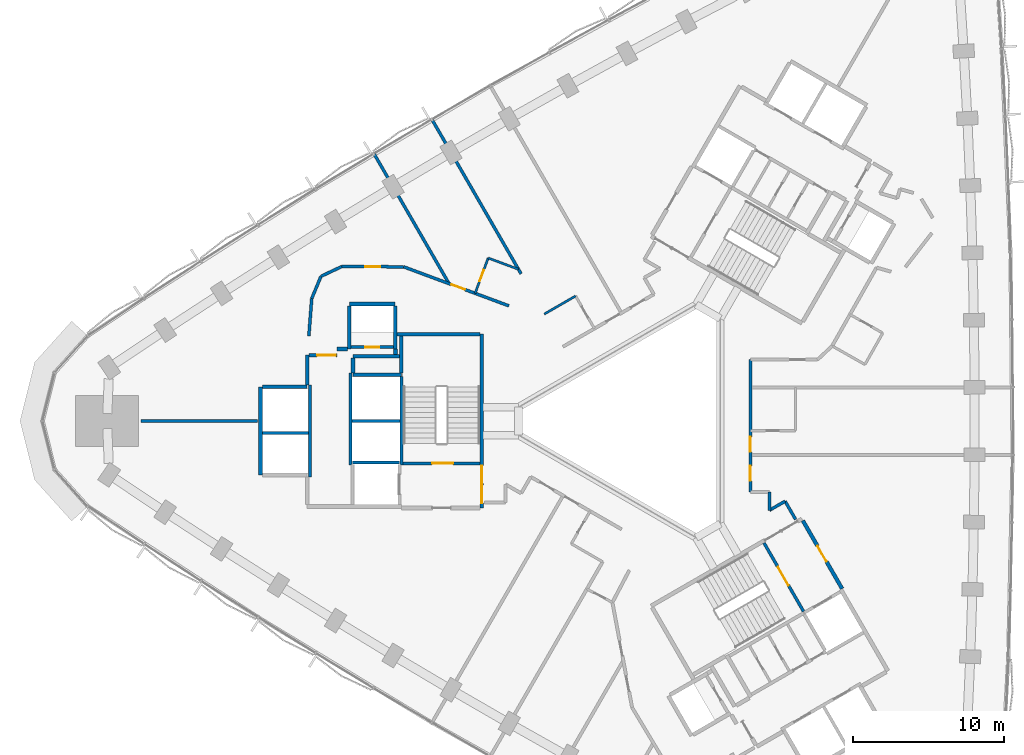
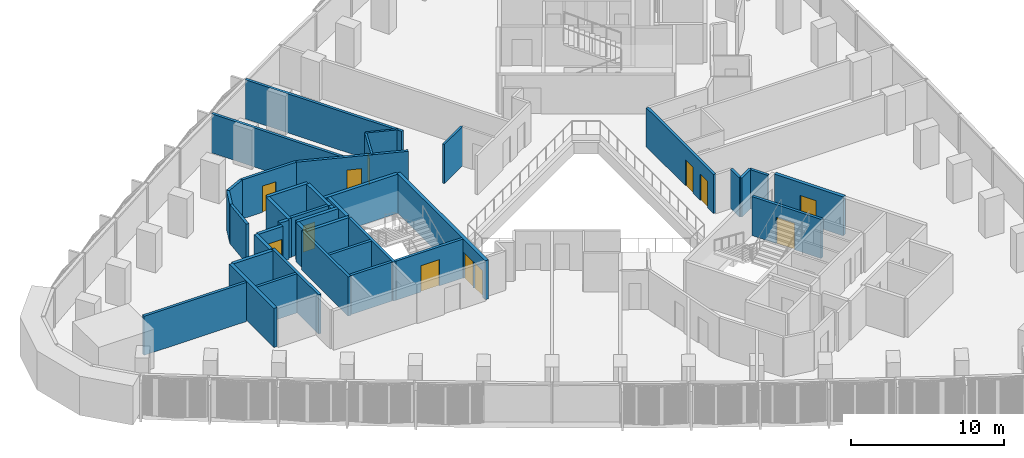
# One storey, part 10 of 15: 40 walls, 12 doors, 12 openings.
"""IFC4 building model written with IfcOpenShell, lengths in metres."""

from ifc_helpers import new_model, si_unit, direction, frame, frame_2d, origin, place, context, subcontext, project, spatial, rectangle, extrude, material, layer, layer_set, type_object, element, fill, save


model = new_model("IFC4")

# Units and contexts
model_context = context("Model", 3, precision=1e-05, world=origin(), true_north=direction((0.0, 1.0)))
body_context = subcontext(model_context, "Body", "Model", "MODEL_VIEW")
ifc_project = project(units=[si_unit("LENGTHUNIT", "METRE"), si_unit("AREAUNIT", "SQUARE_METRE"), si_unit("VOLUMEUNIT", "CUBIC_METRE"), si_unit("PLANEANGLEUNIT", "RADIAN"), si_unit("MASSUNIT", "GRAM", prefix="KILO")], contexts=[model_context])

# Site, building, storey
site_placement = place(None, origin())
site = spatial("IfcSite", under=ifc_project, at=site_placement, CompositionType="ELEMENT")
building_placement = place(site_placement, origin())
building = spatial("IfcBuilding", under=site, at=building_placement, Name="Tamra Quay Hotel Tower", CompositionType="ELEMENT")
storey_placement = place(building_placement, frame((0.0, 0.0, 53.0)))
storey = spatial("IfcBuildingStorey", under=building, at=storey_placement, Name="L11", CompositionType="ELEMENT", Elevation=53.0)

# Walls
ifc_material_1 = material(Name="Concrete M70", Category="concrete")
ifc_layer_1 = layer(ifc_material_1, 0.199951171875)
ifc_layer_set_1 = layer_set([ifc_layer_1], Name="Concrete M70 core wall 200")
wall_type_1 = type_object("IfcWallType", Name="Concrete M70 core wall 200", PredefinedType="SHEAR", material=ifc_layer_set_1)
wall_1_placement = place(storey_placement, frame((-16.162109375, 2.95068359375, 0.0), z_axis=(0.0, 0.0, 1.0), x_axis=(0.0, -1.0, 0.0)))
element("IfcWall", 1, at=wall_1_placement, inside=storey, type_object=wall_type_1, Name="CW2", PredefinedType="SHEAR", context=body_context, shape_type="SweptSolid", body=[
    extrude(rectangle(XDim=5.850830078125, YDim=0.199951171875, at=frame_2d((2.92529296875, 0.0))), origin(), (0.0, 0.0, 1.0), 3.125),
])
for number, where, z_axis, x_axis, name in (
    (2, (-19.5625, -2.900146484375, 0.0), (0.0, 0.0, 1.0), (0.0, 1.0, 0.0), "CW2"),
    (3, (-22.26220703125, 2.400146484375, 0.0), (0.0, 0.0, 1.0), (0.0, -1.0, 0.0), "CW2"),
):
    element("IfcWall", number, at=place(storey_placement, frame(where, z_axis=z_axis, x_axis=x_axis)), inside=storey, type_object=wall_type_1, Name=name, PredefinedType="SHEAR", context=body_context, shape_type="SweptSolid", body=[
        extrude(rectangle(XDim=6.100341796875, YDim=0.199951171875, at=frame_2d((3.05029296875, 0.0))), origin(), (0.0, 0.0, 1.0), 3.125),
    ])

# Wall, opening, door
wall_2_placement = place(storey_placement, frame((-10.96337890625, -2.800048828125, 0.0), z_axis=(0.0, 0.0, 1.0), x_axis=(-1.0, 0.0, 0.0)))
wall_2 = element("IfcWall", 4, at=wall_2_placement, inside=storey, type_object=wall_type_1, Name="CW2", PredefinedType="SHEAR", context=body_context, shape_type="SweptSolid", body=[
    extrude(rectangle(XDim=5.097900390625, YDim=0.199951171875, at=frame_2d((2.548828125, 0.0))), origin(), (0.0, 0.0, 1.0), 3.125),
])
opening_1_placement = place(wall_2_placement, frame((1.77392578125, 0.0, 0.0)))
opening_1 = element("IfcOpeningElement", 5, at=opening_1_placement, cuts=wall_2, Name="Opening FD2", PredefinedType="OPENING", context=body_context, shape_type="SweptSolid", body=[
    extrude(rectangle(XDim=1.39990234375, YDim=2.10009765625, at=frame_2d((0.699951171875, 1.050048828125))), frame((0.0, 0.10986328125, 0.0), z_axis=(0.0, -1.0, 0.0), x_axis=(1.0, 0.0, 0.0)), (0.0, 0.0, 1.0), 0.219970703125),
])
ifc_material_2 = material(Name="Core door FD2 1400x2100 LH")
door_type_1 = type_object("IfcDoorType", Name="Core door FD2 1400x2100 LH", OperationType="NOTDEFINED", PredefinedType="DOOR", material=ifc_material_2)
door_1_placement = place(opening_1_placement, origin())
door_1 = element("IfcDoor", 6, at=door_1_placement, inside=storey, type_object=door_type_1, Name="FD2", OperationType="SINGLE_SWING_LEFT", OverallHeight=2.10009765625, OverallWidth=1.39990234375, PredefinedType="DOOR", context=body_context, shape_type="SweptSolid", body=[
    extrude(rectangle(XDim=1.39990234375, YDim=2.10009765625, at=frame_2d((0.699951171875, 1.050048828125))), frame((0.0, 0.02490234375, 0.0), z_axis=(0.0, -1.0, 0.0), x_axis=(1.0, 0.0, 0.0)), (0.0, 0.0, 1.0), 0.050048828125),
])
fill(opening_1, door_1)

# Walls
wall_3_placement = place(storey_placement, frame((-16.26318359375, 0.0, 0.0), z_axis=(0.0, 0.0, 1.0), x_axis=(-1.0, 0.0, 0.0)))
element("IfcWall", 7, at=wall_3_placement, inside=storey, type_object=wall_type_1, Name="CW2", PredefinedType="SHEAR", context=body_context, shape_type="SweptSolid", body=[
    extrude(rectangle(XDim=3.1982421875, YDim=0.199951171875, at=frame_2d((1.59912109375, 0.0))), origin(), (0.0, 0.0, 1.0), 3.125),
])
wall_4_placement = place(storey_placement, frame((-22.36328125, -0.800048828125, 0.0), z_axis=(0.0, 0.0, 1.0), x_axis=(-1.0, 0.0, 0.0)))
element("IfcWall", 8, at=wall_4_placement, inside=storey, type_object=wall_type_1, Name="CW2", PredefinedType="SHEAR", context=body_context, shape_type="SweptSolid", body=[
    extrude(rectangle(XDim=3.048095703125, YDim=0.199951171875, at=frame_2d((1.52392578125, 0.0))), origin(), (0.0, 0.0, 1.0), 3.125),
])

# Wall, opening, door
wall_5_placement = place(storey_placement, frame((-19.51123046875, 4.91015625, 0.0), z_axis=(0.0, 0.0, 1.0), x_axis=(1.0, 0.0, 0.0)))
wall_5 = element("IfcWall", 9, at=wall_5_placement, inside=storey, type_object=wall_type_1, Name="CW2", PredefinedType="SHEAR", context=body_context, shape_type="SweptSolid", body=[
    extrude(rectangle(XDim=2.7978515625, YDim=0.199951171875, at=frame_2d((1.39892578125, 0.0))), origin(), (0.0, 0.0, 1.0), 3.125),
])
opening_2_placement = place(wall_5_placement, frame((0.948974609375, 0.0, 0.0)))
opening_2 = element("IfcOpeningElement", 10, at=opening_2_placement, cuts=wall_5, Name="Opening D1", PredefinedType="OPENING", context=body_context, shape_type="SweptSolid", body=[
    extrude(rectangle(XDim=0.89990234375, YDim=2.10009765625, at=frame_2d((0.449951171875, 1.050048828125))), frame((0.0, 0.10986328125, 0.0), z_axis=(0.0, -1.0, 0.0), x_axis=(1.0, 0.0, 0.0)), (0.0, 0.0, 1.0), 0.219970703125),
])
ifc_material_3 = material(Name="Core door D1 900x2100 RH")
door_type_2 = type_object("IfcDoorType", Name="Core door D1 900x2100 RH", OperationType="NOTDEFINED", PredefinedType="DOOR", material=ifc_material_3)
door_2_placement = place(opening_2_placement, origin())
door_2 = element("IfcDoor", 11, at=door_2_placement, inside=storey, type_object=door_type_2, Name="D1", OperationType="SINGLE_SWING_RIGHT", OverallHeight=2.10009765625, OverallWidth=0.89990234375, PredefinedType="DOOR", context=body_context, shape_type="SweptSolid", body=[
    extrude(rectangle(XDim=0.89990234375, YDim=2.10009765625, at=frame_2d((0.449951171875, 1.050048828125))), frame((0.0, 0.02490234375, 0.0), z_axis=(0.0, -1.0, 0.0), x_axis=(1.0, 0.0, 0.0)), (0.0, 0.0, 1.0), 0.050048828125),
])
fill(opening_2, door_2)

# Wall
wall_6_placement = place(storey_placement, frame((-19.412353515625, -2.75, 0.0), z_axis=(0.0, 0.0, 1.0), x_axis=(1.0, 0.0, 0.0)))
element("IfcWall", 12, at=wall_6_placement, inside=storey, type_object=wall_type_1, Name="CW2", PredefinedType="SHEAR", context=body_context, shape_type="SweptSolid", body=[
    extrude(rectangle(XDim=3.10009765625, YDim=0.199951171875, at=frame_2d((1.550048828125, 0.0))), origin(), (0.0, 0.0, 1.0), 3.125),
])

# Wall, opening, door
wall_7_placement = place(storey_placement, frame((7.906494140625, -8.094482421875, 0.0), z_axis=(0.0, 0.0, 1.0), x_axis=(0.500024287448, -0.866011380966, 0.0)))
wall_7 = element("IfcWall", 13, at=wall_7_placement, inside=storey, type_object=wall_type_1, Name="CW2", PredefinedType="SHEAR", context=body_context, shape_type="SweptSolid", body=[
    extrude(rectangle(XDim=5.251220703125, YDim=0.199951171875, at=frame_2d((2.62548828125, 0.0))), origin(), (0.0, 0.0, 1.0), 3.125),
])
opening_3_placement = place(wall_7_placement, frame((1.84912109375, 0.0, 0.0)))
opening_3 = element("IfcOpeningElement", 14, at=opening_3_placement, cuts=wall_7, Name="Opening FD2", PredefinedType="OPENING", context=body_context, shape_type="SweptSolid", body=[
    extrude(rectangle(XDim=1.39990234375, YDim=2.10009765625, at=frame_2d((0.699951171875, 1.050048828125))), frame((0.0, 0.10986328125, 0.0), z_axis=(0.0, -1.0, 0.0), x_axis=(1.0, 0.0, 0.0)), (0.0, 0.0, 1.0), 0.219970703125),
])
ifc_material_4 = material(Name="Core door FD2 1400x2100 RH")
door_type_3 = type_object("IfcDoorType", Name="Core door FD2 1400x2100 RH", OperationType="NOTDEFINED", PredefinedType="DOOR", material=ifc_material_4)
door_3_placement = place(opening_3_placement, origin())
door_3 = element("IfcDoor", 15, at=door_3_placement, inside=storey, type_object=door_type_3, Name="FD2", OperationType="SINGLE_SWING_RIGHT", OverallHeight=2.10009765625, OverallWidth=1.39990234375, PredefinedType="DOOR", context=body_context, shape_type="SweptSolid", body=[
    extrude(rectangle(XDim=1.39990234375, YDim=2.10009765625, at=frame_2d((0.699951171875, 1.050048828125))), frame((0.0, 0.02490234375, 0.0), z_axis=(0.0, -1.0, 0.0), x_axis=(1.0, 0.0, 0.0)), (0.0, 0.0, 1.0), 0.050048828125),
])
fill(opening_3, door_3)

# Wall, openings, doors
ifc_layer_2 = layer(ifc_material_1, 0.25)
ifc_layer_set_2 = layer_set([ifc_layer_2], Name="Concrete M70 core wall 250")
wall_type_2 = type_object("IfcWallType", Name="Concrete M70 core wall 250", PredefinedType="SHEAR", material=ifc_layer_set_2)
wall_8_placement = place(storey_placement, frame((-10.83740234375, 5.77490234375, 0.0), z_axis=(0.0, 0.0, 1.0), x_axis=(0.0, -1.0, 0.0)))
wall_8 = element("IfcWall", 16, at=wall_8_placement, inside=storey, type_object=wall_type_2, Name="CW1", PredefinedType="SHEAR", context=body_context, shape_type="SweptSolid", body=[
    extrude(rectangle(XDim=11.5498046875, YDim=0.25, at=frame_2d((5.77490234375, 0.0))), origin(), (0.0, 0.0, 1.0), 3.125),
])
opening_4_placement = place(wall_8_placement, frame((10.02490234375, 0.0, 0.0)))
opening_4 = element("IfcOpeningElement", 17, at=opening_4_placement, cuts=wall_8, Name="Opening FD1", PredefinedType="OPENING", context=body_context, shape_type="SweptSolid", body=[
    extrude(rectangle(XDim=1.199951171875, YDim=2.10009765625, at=frame_2d((0.60009765625, 1.050048828125))), frame((0.0, 0.135009765625, 0.0), z_axis=(0.0, -1.0, 0.0), x_axis=(1.0, 0.0, 0.0)), (0.0, 0.0, 1.0), 0.27001953125),
])
opening_5_placement = place(wall_8_placement, frame((8.72509765625, 0.0, 0.0)))
opening_5 = element("IfcOpeningElement", 18, at=opening_5_placement, cuts=wall_8, Name="Opening FD1", PredefinedType="OPENING", context=body_context, shape_type="SweptSolid", body=[
    extrude(rectangle(XDim=1.199951171875, YDim=2.10009765625, at=frame_2d((0.60009765625, 1.050048828125))), frame((0.0, 0.135009765625, 0.0), z_axis=(0.0, -1.0, 0.0), x_axis=(1.0, 0.0, 0.0)), (0.0, 0.0, 1.0), 0.27001953125),
])
ifc_material_5 = material(Name="Core door FD1 1200x2100 LH")
door_type_4 = type_object("IfcDoorType", Name="Core door FD1 1200x2100 LH", OperationType="NOTDEFINED", PredefinedType="DOOR", material=ifc_material_5)
door_4_placement = place(opening_4_placement, origin())
door_4 = element("IfcDoor", 19, at=door_4_placement, inside=storey, type_object=door_type_4, Name="FD1", OperationType="SINGLE_SWING_LEFT", OverallHeight=2.10009765625, OverallWidth=1.199951171875, PredefinedType="DOOR", context=body_context, shape_type="SweptSolid", body=[
    extrude(rectangle(XDim=1.199951171875, YDim=2.10009765625, at=frame_2d((0.60009765625, 1.050048828125))), frame((0.0, 0.02490234375, 0.0), z_axis=(0.0, -1.0, 0.0), x_axis=(1.0, 0.0, 0.0)), (0.0, 0.0, 1.0), 0.050048828125),
])
fill(opening_4, door_4)
ifc_material_6 = material(Name="Core door FD1 1200x2100 RH")
door_type_5 = type_object("IfcDoorType", Name="Core door FD1 1200x2100 RH", OperationType="NOTDEFINED", PredefinedType="DOOR", material=ifc_material_6)
door_5_placement = place(opening_5_placement, origin())
door_5 = element("IfcDoor", 20, at=door_5_placement, inside=storey, type_object=door_type_5, Name="FD1", OperationType="SINGLE_SWING_RIGHT", OverallHeight=2.10009765625, OverallWidth=1.199951171875, PredefinedType="DOOR", context=body_context, shape_type="SweptSolid", body=[
    extrude(rectangle(XDim=1.199951171875, YDim=2.10009765625, at=frame_2d((0.60009765625, 1.050048828125))), frame((0.0, 0.02490234375, 0.0), z_axis=(0.0, -1.0, 0.0), x_axis=(1.0, 0.0, 0.0)), (0.0, 0.0, 1.0), 0.050048828125),
])
fill(opening_5, door_5)

# Walls
wall_9_placement = place(storey_placement, frame((-25.537353515625, -3.574951171875, 0.0), z_axis=(0.0, 0.0, 1.0), x_axis=(0.0, 1.0, 0.0)))
element("IfcWall", 21, at=wall_9_placement, inside=storey, type_object=wall_type_2, Name="CW1", PredefinedType="SHEAR", context=body_context, shape_type="SweptSolid", body=[
    extrude(rectangle(XDim=5.849853515625, YDim=0.25, at=frame_2d((2.9248046875, 0.0))), origin(), (0.0, 0.0, 1.0), 3.125),
])
wall_10_placement = place(storey_placement, frame((-16.47216796875, 5.77490234375, 0.0), z_axis=(0.0, 0.0, 1.0), x_axis=(1.0, 0.0, 0.0)))
element("IfcWall", 22, at=wall_10_placement, inside=storey, type_object=wall_type_2, Name="CW1", PredefinedType="SHEAR", context=body_context, shape_type="SweptSolid", body=[
    extrude(rectangle(XDim=5.509521484375, YDim=0.25, at=frame_2d((2.7548828125, 0.0))), origin(), (0.0, 0.0, 1.0), 3.125),
])
wall_11_placement = place(storey_placement, frame((-19.38720703125, 3.074951171875, 0.0), z_axis=(0.0, 0.0, 1.0), x_axis=(1.0, 0.0, 0.0)))
element("IfcWall", 23, at=wall_11_placement, inside=storey, type_object=wall_type_2, Name="CW1", PredefinedType="SHEAR", context=body_context, shape_type="SweptSolid", body=[
    extrude(rectangle(XDim=3.199951171875, YDim=0.25, at=frame_2d((1.60009765625, 0.0))), origin(), (0.0, 0.0, 1.0), 3.125),
])
wall_12_placement = place(storey_placement, frame((-25.411865234375, 2.27490234375, 0.0), z_axis=(0.0, 0.0, 1.0), x_axis=(1.0, 0.0, 0.0)))
element("IfcWall", 24, at=wall_12_placement, inside=storey, type_object=wall_type_2, Name="CW1", PredefinedType="SHEAR", context=body_context, shape_type="SweptSolid", body=[
    extrude(rectangle(XDim=2.974609375, YDim=0.25, at=frame_2d((1.4873046875, 0.0))), origin(), (0.0, 0.0, 1.0), 3.125),
])
wall_13_placement = place(storey_placement, frame((-19.63720703125, 7.77490234375, 0.0), z_axis=(0.0, 0.0, 1.0), x_axis=(1.0, 0.0, 0.0)))
element("IfcWall", 25, at=wall_13_placement, inside=storey, type_object=wall_type_2, Name="CW1", PredefinedType="SHEAR", context=body_context, shape_type="SweptSolid", body=[
    extrude(rectangle(XDim=3.0498046875, YDim=0.25, at=frame_2d((1.52490234375, 0.0))), origin(), (0.0, 0.0, 1.0), 3.125),
])
for number, where, z_axis, x_axis, name in (
    (26, (-16.58740234375, 7.649658203125, 0.0), (0.0, 0.0, 1.0), (0.0, -1.0, 0.0), "CW1"),
    (27, (-19.63720703125, 4.784912109375, 0.0), (0.0, 0.0, 1.0), (0.0, 1.0, 0.0), "CW1"),
):
    element("IfcWall", number, at=place(storey_placement, frame(where, z_axis=z_axis, x_axis=x_axis)), inside=storey, type_object=wall_type_2, Name=name, PredefinedType="SHEAR", context=body_context, shape_type="SweptSolid", body=[
        extrude(rectangle(XDim=2.86474609375, YDim=0.25, at=frame_2d((1.432373046875, 0.0))), origin(), (0.0, 0.0, 1.0), 3.125),
    ])
wall_14_placement = place(storey_placement, frame((-16.30224609375, 4.31494140625, 0.0), z_axis=(0.0, 0.0, 1.0), x_axis=(-1.0, 0.0, 0.0)))
element("IfcWall", 28, at=wall_14_placement, inside=storey, type_object=wall_type_2, Name="CW1", PredefinedType="SHEAR", context=body_context, shape_type="SweptSolid", body=[
    extrude(rectangle(XDim=3.0849609375, YDim=0.25, at=frame_2d((1.54248046875, 0.0))), origin(), (0.0, 0.0, 1.0), 3.125),
])
wall_15_placement = place(storey_placement, frame((-16.187255859375, 3.200439453125, 0.0), z_axis=(0.0, 0.0, 1.0), x_axis=(0.0, 1.0, 0.0)))
element("IfcWall", 29, at=wall_15_placement, inside=storey, type_object=wall_type_2, Name="CW1", PredefinedType="SHEAR", context=body_context, shape_type="SweptSolid", body=[
    extrude(rectangle(XDim=2.44921875, YDim=0.25, at=frame_2d((1.224609375, 0.0))), origin(), (0.0, 0.0, 1.0), 3.125),
])
wall_16_placement = place(storey_placement, frame((-22.437255859375, 2.400390625, 0.0), z_axis=(0.0, 0.0, 1.0), x_axis=(0.0, 1.0, 0.0)))
element("IfcWall", 30, at=wall_16_placement, inside=storey, type_object=wall_type_2, Name="CW1", PredefinedType="SHEAR", context=body_context, shape_type="SweptSolid", body=[
    extrude(rectangle(XDim=1.974609375, YDim=0.25, at=frame_2d((0.9873046875, 0.0))), origin(), (0.0, 0.0, 1.0), 3.125),
])

# Wall, opening, door
wall_17_placement = place(storey_placement, frame((-22.311767578125, 4.375, 0.0), z_axis=(0.0, 0.0, 1.0), x_axis=(1.0, 0.0, 0.0)))
wall_17 = element("IfcWall", 31, at=wall_17_placement, inside=storey, type_object=wall_type_2, Name="CW1", PredefinedType="SHEAR", context=body_context, shape_type="SweptSolid", body=[
    extrude(rectangle(XDim=1.864501953125, YDim=0.25, at=frame_2d((0.93212890625, 0.0))), origin(), (0.0, 0.0, 1.0), 3.125),
])
opening_6_placement = place(wall_17_placement, frame((0.53466796875, 0.0, 0.0)))
opening_6 = element("IfcOpeningElement", 32, at=opening_6_placement, cuts=wall_17, Name="Opening FD3", PredefinedType="OPENING", context=body_context, shape_type="SweptSolid", body=[
    extrude(rectangle(XDim=1.25, YDim=2.10009765625, at=frame_2d((0.625, 1.050048828125))), frame((0.0, 0.135009765625, 0.0), z_axis=(0.0, -1.0, 0.0), x_axis=(1.0, 0.0, 0.0)), (0.0, 0.0, 1.0), 0.27001953125),
])
ifc_material_7 = material(Name="Core door FD3 1250x2100 LH")
door_type_6 = type_object("IfcDoorType", Name="Core door FD3 1250x2100 LH", OperationType="NOTDEFINED", PredefinedType="DOOR", material=ifc_material_7)
door_6_placement = place(opening_6_placement, origin())
door_6 = element("IfcDoor", 33, at=door_6_placement, inside=storey, type_object=door_type_6, Name="FD3", OperationType="SINGLE_SWING_LEFT", OverallHeight=2.10009765625, OverallWidth=1.25, PredefinedType="DOOR", context=body_context, shape_type="SweptSolid", body=[
    extrude(rectangle(XDim=1.25, YDim=2.10009765625, at=frame_2d((0.625, 1.050048828125))), frame((0.0, 0.02490234375, 0.0), z_axis=(0.0, -1.0, 0.0), x_axis=(1.0, 0.0, 0.0)), (0.0, 0.0, 1.0), 0.050048828125),
])
fill(opening_6, door_6)

# Walls
wall_18_placement = place(storey_placement, frame((-19.38720703125, 4.189697265625, 0.0), z_axis=(0.0, 0.0, 1.0), x_axis=(0.0, -1.0, 0.0)))
element("IfcWall", 34, at=wall_18_placement, inside=storey, type_object=wall_type_2, Name="CW1", PredefinedType="SHEAR", context=body_context, shape_type="SweptSolid", body=[
    extrude(rectangle(XDim=0.9892578125, YDim=0.25, at=frame_2d((0.49462890625, 0.0))), origin(), (0.0, 0.0, 1.0), 3.125),
])
wall_19_placement = place(storey_placement, frame((-20.447265625, 4.784912109375, 0.0), z_axis=(0.0, 0.0, 1.0), x_axis=(1.0, 0.0, 0.0)))
element("IfcWall", 35, at=wall_19_placement, inside=storey, type_object=wall_type_2, Name="CW1", PredefinedType="SHEAR", context=body_context, shape_type="SweptSolid", body=[
    extrude(rectangle(XDim=0.6845703125, YDim=0.25, at=frame_2d((0.34228515625, 0.0))), origin(), (0.0, 0.0, 1.0), 3.125),
])
wall_20_placement = place(storey_placement, frame((-16.577392578125, 4.784912109375, 0.0), z_axis=(0.0, 0.0, 1.0), x_axis=(0.0, -1.0, 0.0)))
element("IfcWall", 36, at=wall_20_placement, inside=storey, type_object=wall_type_2, Name="CW1", PredefinedType="SHEAR", context=body_context, shape_type="SweptSolid", body=[
    extrude(rectangle(XDim=0.344482421875, YDim=0.25, at=frame_2d((0.17236328125, 0.0))), origin(), (0.0, 0.0, 1.0), 3.125),
])

# Wall, opening, door
wall_21_placement = place(storey_placement, frame((10.482666015625, -6.6064453125, 0.0), z_axis=(0.0, 0.0, 1.0), x_axis=(0.49999885962, -0.866026062182, 0.0)))
wall_21 = element("IfcWall", 37, at=wall_21_placement, inside=storey, type_object=wall_type_2, Name="CW1", PredefinedType="SHEAR", context=body_context, shape_type="SweptSolid", body=[
    extrude(rectangle(XDim=5.224609375, YDim=0.25, at=frame_2d((2.6123046875, 0.0))), origin(), (0.0, 0.0, 1.0), 3.125),
])
opening_7_placement = place(wall_21_placement, frame((1.94970703125, 0.0, 0.0)))
opening_7 = element("IfcOpeningElement", 38, at=opening_7_placement, cuts=wall_21, Name="Opening D2", PredefinedType="OPENING", context=body_context, shape_type="SweptSolid", body=[
    extrude(rectangle(XDim=1.199951171875, YDim=2.10009765625, at=frame_2d((0.60009765625, 1.050048828125))), frame((0.0, 0.135009765625, 0.0), z_axis=(0.0, -1.0, 0.0), x_axis=(1.0, 0.0, 0.0)), (0.0, 0.0, 1.0), 0.27001953125),
])
ifc_material_8 = material(Name="Core door D2 1200x2100 LH")
door_type_7 = type_object("IfcDoorType", Name="Core door D2 1200x2100 LH", OperationType="NOTDEFINED", PredefinedType="DOOR", material=ifc_material_8)
door_7_placement = place(opening_7_placement, origin())
door_7 = element("IfcDoor", 39, at=door_7_placement, inside=storey, type_object=door_type_7, Name="D2", OperationType="SINGLE_SWING_LEFT", OverallHeight=2.10009765625, OverallWidth=1.199951171875, PredefinedType="DOOR", context=body_context, shape_type="SweptSolid", body=[
    extrude(rectangle(XDim=1.199951171875, YDim=2.10009765625, at=frame_2d((0.60009765625, 1.050048828125))), frame((0.0, 0.02490234375, 0.0), z_axis=(0.0, -1.0, 0.0), x_axis=(1.0, 0.0, 0.0)), (0.0, 0.0, 1.0), 0.050048828125),
])
fill(opening_7, door_7)

# Walls
ifc_material_9 = material(Name="Partition corridor wall")
ifc_layer_3 = layer(ifc_material_9, 0.199951171875)
ifc_layer_set_3 = layer_set([ifc_layer_3], Name="Partition corridor wall")
wall_type_3 = type_object("IfcWallType", Name="Partition corridor wall", PredefinedType="PARTITIONING", material=ifc_layer_set_3)
wall_22_placement = place(storey_placement, frame((-22.135009765625, 8.1298828125, 0.0), z_axis=(0.0, 0.0, 1.0), x_axis=(-0.076073461031, -0.997102215686, 0.0)))
element("IfcWall", 40, at=wall_22_placement, inside=storey, type_object=wall_type_3, Name="W-C", PredefinedType="PARTITIONING", context=body_context, shape_type="SweptSolid", body=[
    extrude(rectangle(XDim=2.4873046875, YDim=0.199951171875, at=frame_2d((1.24365234375, 0.0))), origin(), (0.0, 0.0, 1.0), 3.125),
])
wall_23_placement = place(storey_placement, frame((-22.135009765625, 8.134033203125, 0.0), z_axis=(0.0, 0.0, 1.0), x_axis=(0.383208453534, 0.923661886807, 0.0)))
element("IfcWall", 41, at=wall_23_placement, inside=storey, type_object=wall_type_3, Name="W-C", PredefinedType="PARTITIONING", context=body_context, shape_type="SweptSolid", body=[
    extrude(rectangle(XDim=1.602294921875, YDim=0.199951171875, at=frame_2d((0.80126953125, 0.0))), origin(), (0.0, 0.0, 1.0), 3.125),
])
wall_24_placement = place(storey_placement, frame((-21.52099609375, 9.614013671875, 0.0), z_axis=(0.0, 0.0, 1.0), x_axis=(0.904083527367, 0.427355795028, 0.0)))
element("IfcWall", 42, at=wall_24_placement, inside=storey, type_object=wall_type_3, Name="W-C", PredefinedType="PARTITIONING", context=body_context, shape_type="SweptSolid", body=[
    extrude(rectangle(XDim=1.52294921875, YDim=0.199951171875, at=frame_2d((0.761474609375, 0.0))), origin(), (0.0, 0.0, 1.0), 3.125),
])

# Wall, opening, door
wall_25_placement = place(storey_placement, frame((-20.14306640625, 10.26611328125, 0.0), z_axis=(0.0, 0.0, 1.0), x_axis=(0.999989297417, -0.004626559416, 0.0)))
wall_25 = element("IfcWall", 43, at=wall_25_placement, inside=storey, type_object=wall_type_3, Name="W-C", PredefinedType="PARTITIONING", context=body_context, shape_type="SweptSolid", body=[
    extrude(rectangle(XDim=4.115966796875, YDim=0.199951171875, at=frame_2d((2.05810546875, 0.0))), origin(), (0.0, 0.0, 1.0), 3.125),
])
opening_8_placement = place(wall_25_placement, frame((1.55810546875, 0.0, 0.0)))
opening_8 = element("IfcOpeningElement", 44, at=opening_8_placement, cuts=wall_25, Name="Opening L11-D011", PredefinedType="OPENING", context=body_context, shape_type="SweptSolid", body=[
    extrude(rectangle(XDim=1.0, YDim=2.10009765625, at=frame_2d((0.5, 1.050048828125))), frame((0.0, 0.10986328125, 0.0), z_axis=(0.0, -1.0, 0.0), x_axis=(1.0, 0.0, 0.0)), (0.0, 0.0, 1.0), 0.219970703125),
])
ifc_material_10 = material(Name="Door guest room 1000x2100")
door_type_8 = type_object("IfcDoorType", Name="Door guest room 1000x2100", OperationType="NOTDEFINED", PredefinedType="DOOR", material=ifc_material_10)
door_8_placement = place(opening_8_placement, frame((1.0, 0.0, 0.0), z_axis=(0.0, 0.0, 1.0), x_axis=(-1.0, 0.0, 0.0)))
door_8 = element("IfcDoor", 45, at=door_8_placement, inside=storey, type_object=door_type_8, Name="L11-D011", OperationType="SINGLE_SWING_LEFT", OverallHeight=2.10009765625, OverallWidth=1.0, PredefinedType="DOOR", context=body_context, shape_type="SweptSolid", body=[
    extrude(rectangle(XDim=1.0, YDim=2.10009765625, at=frame_2d((0.5, 1.050048828125))), frame((0.0, 0.02490234375, 0.0), z_axis=(0.0, -1.0, 0.0), x_axis=(1.0, 0.0, 0.0)), (0.0, 0.0, 1.0), 0.050048828125),
])
fill(opening_8, door_8)

wall_26_placement = place(storey_placement, frame((-16.02587890625, 10.24609375, 0.0), z_axis=(0.0, 0.0, 1.0), x_axis=(0.937598236139, -0.347720502112, 0.0)))
wall_26 = element("IfcWall", 46, at=wall_26_placement, inside=storey, type_object=wall_type_3, Name="W-C", PredefinedType="PARTITIONING", context=body_context, shape_type="SweptSolid", body=[
    extrude(rectangle(XDim=7.45849609375, YDim=0.199951171875, at=frame_2d((3.729248046875, 0.0))), origin(), (0.0, 0.0, 1.0), 3.125),
])
opening_9_placement = place(wall_26_placement, frame((3.3955078125, 0.0, 0.0)))
opening_9 = element("IfcOpeningElement", 47, at=opening_9_placement, cuts=wall_26, Name="Opening L11-D009", PredefinedType="OPENING", context=body_context, shape_type="SweptSolid", body=[
    extrude(rectangle(XDim=0.949951171875, YDim=2.10009765625, at=frame_2d((0.47509765625, 1.050048828125))), frame((0.0, 0.10986328125, 0.0), z_axis=(0.0, -1.0, 0.0), x_axis=(1.0, 0.0, 0.0)), (0.0, 0.0, 1.0), 0.219970703125),
])
ifc_material_11 = material(Name="Door guest room 950x2100")
door_type_9 = type_object("IfcDoorType", Name="Door guest room 950x2100", OperationType="NOTDEFINED", PredefinedType="DOOR", material=ifc_material_11)
door_9_placement = place(opening_9_placement, origin())
door_9 = element("IfcDoor", 48, at=door_9_placement, inside=storey, type_object=door_type_9, Name="L11-D009", OperationType="SINGLE_SWING_LEFT", OverallHeight=2.10009765625, OverallWidth=0.949951171875, PredefinedType="DOOR", context=body_context, shape_type="SweptSolid", body=[
    extrude(rectangle(XDim=0.949951171875, YDim=2.10009765625, at=frame_2d((0.47509765625, 1.050048828125))), frame((0.0, 0.02490234375, 0.0), z_axis=(0.0, -1.0, 0.0), x_axis=(1.0, 0.0, 0.0)), (0.0, 0.0, 1.0), 0.050048828125),
])
fill(opening_9, door_9)

# Wall, openings, doors
wall_27_placement = place(storey_placement, frame((7.0, -4.720947265625, 0.0), z_axis=(0.0, 0.0, 1.0), x_axis=(0.0, 1.0, 0.0)))
wall_27 = element("IfcWall", 49, at=wall_27_placement, inside=storey, type_object=wall_type_3, Name="W-C", PredefinedType="PARTITIONING", context=body_context, shape_type="SweptSolid", body=[
    extrude(rectangle(XDim=8.798828125, YDim=0.199951171875, at=frame_2d((4.3994140625, 0.0))), origin(), (0.0, 0.0, 1.0), 3.125),
])
opening_10_placement = place(wall_27_placement, frame((0.7490234375, 0.0, 0.0)))
opening_10 = element("IfcOpeningElement", 50, at=opening_10_placement, cuts=wall_27, Name="Opening L11-D001", PredefinedType="OPENING", context=body_context, shape_type="SweptSolid", body=[
    extrude(rectangle(XDim=1.0, YDim=2.10009765625, at=frame_2d((0.5, 1.050048828125))), frame((0.0, 0.10986328125, 0.0), z_axis=(0.0, -1.0, 0.0), x_axis=(1.0, 0.0, 0.0)), (0.0, 0.0, 1.0), 0.219970703125),
])
opening_11_placement = place(wall_27_placement, frame((2.674072265625, 0.0, 0.0)))
opening_11 = element("IfcOpeningElement", 51, at=opening_11_placement, cuts=wall_27, Name="Opening L11-D002", PredefinedType="OPENING", context=body_context, shape_type="SweptSolid", body=[
    extrude(rectangle(XDim=1.0, YDim=2.10009765625, at=frame_2d((0.5, 1.050048828125))), frame((0.0, 0.10986328125, 0.0), z_axis=(0.0, -1.0, 0.0), x_axis=(1.0, 0.0, 0.0)), (0.0, 0.0, 1.0), 0.219970703125),
])
door_10_placement = place(opening_10_placement, frame((1.0, 0.0, 0.0), z_axis=(0.0, 0.0, 1.0), x_axis=(-1.0, 0.0, 0.0)))
door_10 = element("IfcDoor", 52, at=door_10_placement, inside=storey, type_object=door_type_8, Name="L11-D001", OperationType="SINGLE_SWING_LEFT", OverallHeight=2.10009765625, OverallWidth=1.0, PredefinedType="DOOR", context=body_context, shape_type="SweptSolid", body=[
    extrude(rectangle(XDim=1.0, YDim=2.10009765625, at=frame_2d((0.5, 1.050048828125))), frame((0.0, 0.02490234375, 0.0), z_axis=(0.0, -1.0, 0.0), x_axis=(1.0, 0.0, 0.0)), (0.0, 0.0, 1.0), 0.050048828125),
])
fill(opening_10, door_10)
door_11_placement = place(opening_11_placement, frame((1.0, 0.0, 0.0), z_axis=(0.0, 0.0, 1.0), x_axis=(-1.0, 0.0, 0.0)))
door_11 = element("IfcDoor", 53, at=door_11_placement, inside=storey, type_object=door_type_8, Name="L11-D002", OperationType="SINGLE_SWING_LEFT", OverallHeight=2.10009765625, OverallWidth=1.0, PredefinedType="DOOR", context=body_context, shape_type="SweptSolid", body=[
    extrude(rectangle(XDim=1.0, YDim=2.10009765625, at=frame_2d((0.5, 1.050048828125))), frame((0.0, 0.02490234375, 0.0), z_axis=(0.0, -1.0, 0.0), x_axis=(1.0, 0.0, 0.0)), (0.0, 0.0, 1.0), 0.050048828125),
])
fill(opening_11, door_11)

# Walls
wall_28_placement = place(storey_placement, frame((8.26806640625, -5.9208984375, 0.0), z_axis=(0.0, 0.0, 1.0), x_axis=(0.0, 1.0, 0.0)))
element("IfcWall", 54, at=wall_28_placement, inside=storey, type_object=wall_type_3, Name="W-C", PredefinedType="PARTITIONING", context=body_context, shape_type="SweptSolid", body=[
    extrude(rectangle(XDim=1.199951171875, YDim=0.199951171875, at=frame_2d((0.60009765625, 0.0))), origin(), (0.0, 0.0, 1.0), 3.125),
])
wall_29_placement = place(storey_placement, frame((8.26806640625, -5.9208984375, 0.0), z_axis=(0.0, 0.0, 1.0), x_axis=(0.866344856625, 0.499446282797, 0.0)))
element("IfcWall", 55, at=wall_29_placement, inside=storey, type_object=wall_type_3, Name="W-C", PredefinedType="PARTITIONING", context=body_context, shape_type="SweptSolid", body=[
    extrude(rectangle(XDim=1.198974609375, YDim=0.199951171875, at=frame_2d((0.599609375, 0.0))), origin(), (0.0, 0.0, 1.0), 3.125),
])
wall_30_placement = place(storey_placement, frame((9.306884765625, -5.322021484375, 0.0), z_axis=(0.0, 0.0, 1.0), x_axis=(0.500295157811, -0.865854927266, 0.0)))
element("IfcWall", 56, at=wall_30_placement, inside=storey, type_object=wall_type_3, Name="W-C", PredefinedType="PARTITIONING", context=body_context, shape_type="SweptSolid", body=[
    extrude(rectangle(XDim=1.389892578125, YDim=0.199951171875, at=frame_2d((0.69482421875, 0.0))), origin(), (0.0, 0.0, 1.0), 3.125),
])

# Wall, opening, door
ifc_material_12 = material(Name="Partition en-suite wall")
ifc_layer_4 = layer(ifc_material_12, 0.14990234375)
ifc_layer_set_4 = layer_set([ifc_layer_4], Name="Partition en-suite wall")
wall_type_4 = type_object("IfcWallType", Name="Partition en-suite wall", PredefinedType="PARTITIONING", material=ifc_layer_set_4)
wall_31_placement = place(storey_placement, frame((-11.282958984375, 8.487060546875, 0.0), z_axis=(0.0, 0.0, 1.0), x_axis=(0.347921729873, 0.937523583641, 0.0)))
wall_31 = element("IfcWall", 57, at=wall_31_placement, inside=storey, type_object=wall_type_4, Name="W-E", PredefinedType="PARTITIONING", context=body_context, shape_type="SweptSolid", body=[
    extrude(rectangle(XDim=2.500244140625, YDim=0.14990234375, at=frame_2d((1.25, 0.0))), origin(), (0.0, 0.0, 1.0), 3.125),
])
opening_12_placement = place(wall_31_placement, frame((0.85009765625, 0.0, 0.0)))
opening_12 = element("IfcOpeningElement", 58, at=opening_12_placement, cuts=wall_31, Name="Opening L11-D010", PredefinedType="OPENING", context=body_context, shape_type="SweptSolid", body=[
    extrude(rectangle(XDim=0.800048828125, YDim=2.10009765625, at=frame_2d((0.39990234375, 1.050048828125))), frame((0.0, 0.0849609375, 0.0), z_axis=(0.0, -1.0, 0.0), x_axis=(1.0, 0.0, 0.0)), (0.0, 0.0, 1.0), 0.169921875),
])
ifc_material_13 = material(Name="Door en-suite 800x2100")
door_type_10 = type_object("IfcDoorType", Name="Door en-suite 800x2100", OperationType="NOTDEFINED", PredefinedType="DOOR", material=ifc_material_13)
door_12_placement = place(opening_12_placement, origin())
door_12 = element("IfcDoor", 59, at=door_12_placement, inside=storey, type_object=door_type_10, Name="L11-D010", OperationType="SINGLE_SWING_LEFT", OverallHeight=2.10009765625, OverallWidth=0.800048828125, PredefinedType="DOOR", context=body_context, shape_type="SweptSolid", body=[
    extrude(rectangle(XDim=0.800048828125, YDim=2.10009765625, at=frame_2d((0.39990234375, 1.050048828125))), frame((0.0, 0.02490234375, 0.0), z_axis=(0.0, -1.0, 0.0), x_axis=(1.0, 0.0, 0.0)), (0.0, 0.0, 1.0), 0.050048828125),
])
fill(opening_12, door_12)

# Walls
wall_32_placement = place(storey_placement, frame((-10.4130859375, 10.8310546875, 0.0), z_axis=(0.0, 0.0, 1.0), x_axis=(0.937443331153, -0.348137904971, 0.0)))
element("IfcWall", 60, at=wall_32_placement, inside=storey, type_object=wall_type_4, Name="W-E", PredefinedType="PARTITIONING", context=body_context, shape_type="SweptSolid", body=[
    extrude(rectangle(XDim=2.14306640625, YDim=0.14990234375, at=frame_2d((1.071533203125, 0.0))), origin(), (0.0, 0.0, 1.0), 3.125),
])
wall_33_placement = place(storey_placement, frame((-6.68603515625, 7.110107421875, 0.0), z_axis=(0.0, 0.0, 1.0), x_axis=(0.866100915363, 0.499869187296, 0.0)))
element("IfcWall", 61, at=wall_33_placement, inside=storey, type_object=wall_type_4, Name="W-E", PredefinedType="PARTITIONING", context=body_context, shape_type="SweptSolid", body=[
    extrude(rectangle(XDim=2.400634765625, YDim=0.14990234375, at=frame_2d((1.2001953125, 0.0))), origin(), (0.0, 0.0, 1.0), 3.125),
])
ifc_material_14 = material(Name="Partition party wall")
ifc_layer_5 = layer(ifc_material_14, 0.199951171875)
ifc_layer_set_5 = layer_set([ifc_layer_5], Name="Partition party wall")
wall_type_5 = type_object("IfcWallType", Name="Partition party wall", PredefinedType="PARTITIONING", material=ifc_layer_set_5)
wall_34_placement = place(storey_placement, frame((-33.47802734375, 0.0, 0.0), z_axis=(0.0, 0.0, 1.0), x_axis=(1.0, 0.0, 0.0)))
element("IfcWall", 62, at=wall_34_placement, inside=storey, type_object=wall_type_5, Name="W-P", PredefinedType="PARTITIONING", context=body_context, shape_type="SweptSolid", body=[
    extrude(rectangle(XDim=7.755859375, YDim=0.199951171875, at=frame_2d((3.8779296875, 0.0))), origin(), (0.0, 0.0, 1.0), 3.125),
])
wall_35_placement = place(storey_placement, frame((-17.99560546875, 17.758056640625, 0.0), z_axis=(0.0, 0.0, 1.0), x_axis=(0.500046945013, -0.865998298372, 0.0)))
element("IfcWall", 63, at=wall_35_placement, inside=storey, type_object=wall_type_5, Name="W-P", PredefinedType="PARTITIONING", context=body_context, shape_type="SweptSolid", body=[
    extrude(rectangle(XDim=9.96435546875, YDim=0.199951171875, at=frame_2d((4.982177734375, 0.0))), origin(), (0.0, 0.0, 1.0), 3.125),
])
wall_36_placement = place(storey_placement, frame((-14.148681640625, 20.034912109375, 0.0), z_axis=(0.0, 0.0, 1.0), x_axis=(0.500022967158, -0.866012143284, 0.0)))
element("IfcWall", 64, at=wall_36_placement, inside=storey, type_object=wall_type_5, Name="W-P", PredefinedType="PARTITIONING", context=body_context, shape_type="SweptSolid", body=[
    extrude(rectangle(XDim=11.837890625, YDim=0.199951171875, at=frame_2d((5.9189453125, 0.0))), origin(), (0.0, 0.0, 1.0), 3.125),
])

save(model, "model.ifc")
